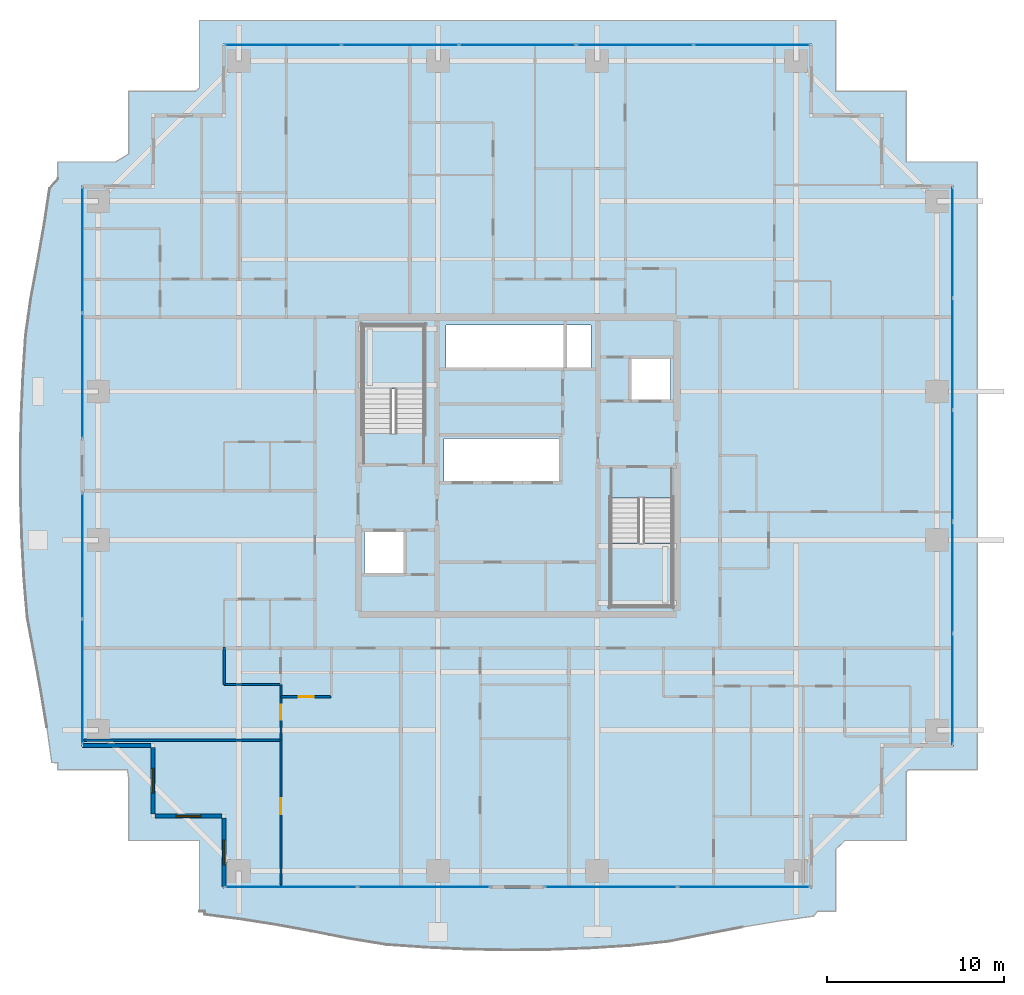
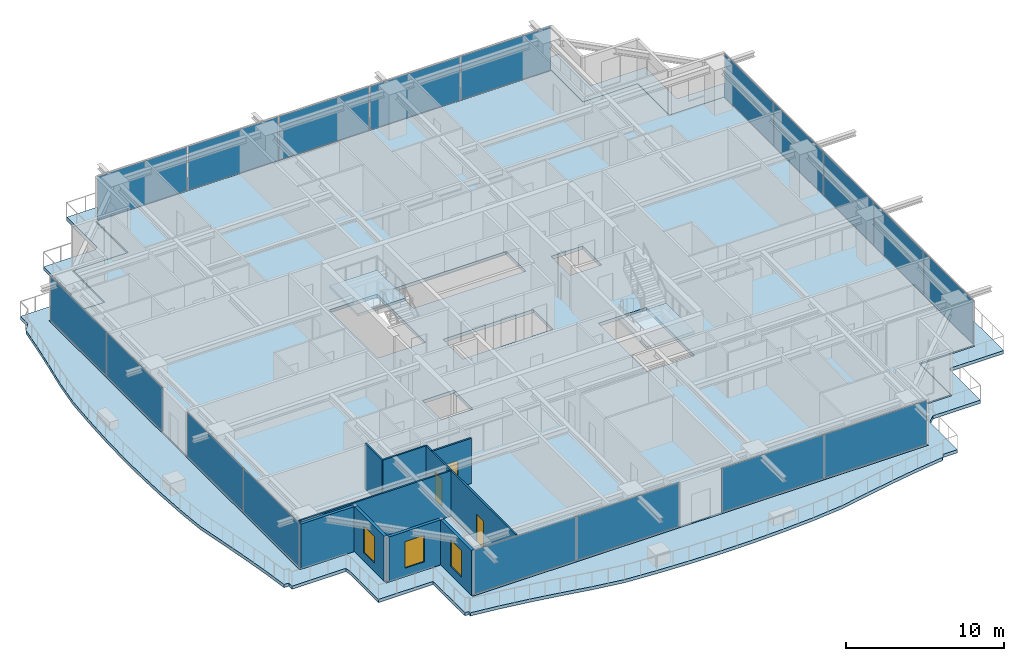
# One storey, part 23 of 35: 18 plates, 10 walls, 4 slabs, 3 doors, 3 windows, 6 openings, 8 elements without a shape of their own.
"""IFC4 building model written with IfcOpenShell, lengths in metres."""

from ifc_helpers import new_model, si_unit, direction, frame, frame_2d, origin, origin_2d, place, context, subcontext, project, spatial, polyline, rectangle, outline, extrude, source, transform, mapped, material, layer, layer_set, type_object, element, fill, aggregate, save


model = new_model("IFC4")

# Units and contexts
model_context = context("Model", 3, precision=1e-05, world=origin(), true_north=direction((0.0, 1.0)))
body_context = subcontext(model_context, "Body", "Model", "MODEL_VIEW")
ifc_project = project(units=[si_unit("LENGTHUNIT", "METRE"), si_unit("AREAUNIT", "SQUARE_METRE"), si_unit("VOLUMEUNIT", "CUBIC_METRE"), si_unit("PLANEANGLEUNIT", "RADIAN"), si_unit("MASSUNIT", "GRAM", prefix="KILO")], contexts=[model_context])

# Site, building, storey
site_placement = place(None, origin())
site = spatial("IfcSite", under=ifc_project, at=site_placement, CompositionType="ELEMENT")
building_placement = place(site_placement, origin())
building = spatial("IfcBuilding", under=site, at=building_placement, Name="Serunith Strait Residences", CompositionType="ELEMENT")
storey_placement = place(building_placement, frame((0.0, 0.0, 172.64990234375)))
storey = spatial("IfcBuildingStorey", under=building, at=storey_placement, Name="L43", CompositionType="ELEMENT", Elevation=172.64990234375)

# Slab
ifc_material_1 = material(Name="Concrete C50/60", Category="concrete")
ifc_layer_1 = layer(ifc_material_1, 0.239990234375, Name="Concrete C50/60")
ifc_layer_set_1 = layer_set([ifc_layer_1], Name="Concrete C50/60")
slab_type_1 = type_object("IfcSlabType", Name="SLB-BALC-240", PredefinedType="FLOOR", material=ifc_layer_set_1)
slab_1_placement = place(storey_placement, frame((0.0, 0.0, -0.289794921875)))
element("IfcSlab", 1, at=slab_1_placement, inside=storey, type_object=slab_type_1, Name="L43 Planted Vertical-Forest Balcony Slab", PredefinedType="FLOOR", context=body_context, shape_type="SweptSolid", body=[
    extrude(outline(polyline([(14.419921875, 0.02001953125), (14.419921875, 4.02001953125), (10.419921875, 4.02001953125), (10.419921875, 7.556640625), (10.351318359375, 8.02001953125), (6.419921875, 8.02001953125), (6.419921875, 8.415283203125), (6.075439453125, 8.43505859375), (5.7958984375, 10.43798828125), (5.462890625, 12.46142578125), (5.086181640625, 14.5224609375), (4.690185546875, 16.63916015625), (4.5009765625, 18.867919921875), (4.380859375, 21.1376953125), (4.31201171875, 23.43017578125), (4.300537109375, 25.733154296875), (4.347900390625, 28.03173828125), (4.449462890625, 30.31298828125), (4.595703125, 32.5654296875), (4.90087890625, 34.739013671875), (5.29150390625, 36.825927734375), (5.647705078125, 38.8662109375), (5.953857421875, 40.877685546875), (6.419921875, 41.42578125), (6.419921875, 42.3798828125), (9.680908203125, 42.3798828125), (10.419921875, 42.822998046875), (10.419921875, 46.3798828125), (14.1982421875, 46.3798828125), (14.419921875, 46.55908203125), (14.419921875, 50.3798828125), (50.3798828125, 50.3798828125), (50.3798828125, 46.3798828125), (54.3798828125, 46.3798828125), (54.3798828125, 42.3798828125), (58.3798828125, 42.3798828125), (58.3798828125, 8.02001953125), (54.51513671875, 8.02001953125), (54.3798828125, 7.921875), (54.3798828125, 4.02001953125), (50.906494140625, 4.02001953125), (50.3798828125, 3.513916015625), (50.3798828125, 0.02001953125), (49.347412109375, 0.02001953125), (49.153564453125, -0.251220703125), (47.156494140625, -0.529052734375), (45.1416015625, -0.8671875), (43.0908203125, -1.258056640625), (40.983154296875, -1.6787109375), (38.76171875, -1.918212890625), (36.485107421875, -2.059814453125), (34.180908203125, -2.146484375), (31.86328125, -2.169189453125), (29.548828125, -2.125244140625), (27.25341796875, -2.01953125), (24.989990234375, -1.86279296875), (22.823486328125, -1.509765625), (20.74267578125, -1.097900390625), (18.7099609375, -0.7275390625), (16.705078125, -0.4140625), (14.711669921875, -0.160400390625), (14.71337890625, 0.02001953125), (14.419921875, 0.02001953125)]), holes=[polyline([(49.054931640625, 1.344970703125), (49.054931640625, 5.344970703125), (53.054931640625, 5.344970703125), (53.054931640625, 9.344970703125), (57.054931640625, 9.344970703125), (57.054931640625, 41.054931640625), (53.054931640625, 41.054931640625), (53.054931640625, 45.054931640625), (49.054931640625, 45.054931640625), (49.054931640625, 49.054931640625), (15.7451171875, 49.054931640625), (15.7451171875, 45.054931640625), (11.7451171875, 45.054931640625), (11.7451171875, 41.054931640625), (7.7451171875, 41.054931640625), (7.7451171875, 9.344970703125), (11.7451171875, 9.344970703125), (11.7451171875, 5.344970703125), (15.7451171875, 5.344970703125), (15.7451171875, 1.344970703125), (49.054931640625, 1.344970703125)])]), origin(), (0.0, 0.0, 1.0), 0.239990234375),
])

# Stair, slab
stair_type_1 = type_object("IfcStairType", Name="STR-CORE-1", PredefinedType="HALF_TURN_STAIR", material=ifc_material_1)
stair_1_placement = place(storey_placement, origin())
stair_1 = element("IfcStair", 2, at=stair_1_placement, inside=storey, type_object=stair_type_1, Name="L43 Protected Escape Stair ST-1", PredefinedType="HALF_TURN_STAIR")
ifc_layer_2 = layer(ifc_material_1, 0.199951171875, Name="Concrete C50/60")
ifc_layer_set_2 = layer_set([ifc_layer_2], Name="Concrete C50/60")
slab_type_2 = type_object("IfcSlabType", Name="SLB-LAND-200", PredefinedType="LANDING", material=ifc_layer_set_2)
slab_2_placement = place(storey_placement, frame((0.0, 0.0, 1.675048828125)))
slab_2 = element("IfcSlab", 3, at=slab_2_placement, type_object=slab_type_2, Name="ST-1 landing 1", PredefinedType="LANDING", context=body_context, shape_type="SweptSolid", body=[
    extrude(outline(polyline([(27.14990234375, 29.550048828125), (27.14990234375, 33.14990234375), (23.64990234375, 33.14990234375), (23.64990234375, 29.550048828125), (27.14990234375, 29.550048828125)])), origin(), (0.0, 0.0, 1.0), 0.199951171875),
])
aggregate(stair_1, [slab_2])

stair_type_2 = type_object("IfcStairType", Name="STR-CORE-2", PredefinedType="HALF_TURN_STAIR", material=ifc_material_1)
stair_2_placement = place(storey_placement, origin())
stair_2 = element("IfcStair", 4, at=stair_2_placement, inside=storey, type_object=stair_type_2, Name="L43 Protected Escape Stair ST-2", PredefinedType="HALF_TURN_STAIR")
slab_3_placement = place(storey_placement, frame((0.0, 0.0, 1.675048828125)))
slab_3 = element("IfcSlab", 5, at=slab_3_placement, type_object=slab_type_2, Name="ST-2 landing 1", PredefinedType="LANDING", context=body_context, shape_type="SweptSolid", body=[
    extrude(outline(polyline([(37.64990234375, 20.85009765625), (37.64990234375, 17.25), (41.14990234375, 17.25), (41.14990234375, 20.85009765625), (37.64990234375, 20.85009765625)])), origin(), (0.0, 0.0, 1.0), 0.199951171875),
])
aggregate(stair_2, [slab_3])

# Slab
ifc_material_2 = material(Name="Concrete C60/75", Category="concrete")
ifc_layer_3 = layer(ifc_material_2, 0.260009765625, Name="Concrete C60/75")
ifc_layer_set_3 = layer_set([ifc_layer_3], Name="Concrete C60/75")
slab_type_3 = type_object("IfcSlabType", Name="SLB-TWR-260-Z2", PredefinedType="FLOOR", material=ifc_layer_set_3)
slab_4_placement = place(storey_placement, frame((0.0, 0.0, -0.260009765625)))
element("IfcSlab", 6, at=slab_4_placement, inside=storey, type_object=slab_type_3, Name="L43 Structural Floor Plate", PredefinedType="FLOOR", context=body_context, shape_type="SweptSolid", body=[
    extrude(outline(polyline([(15.800048828125, 5.39990234375), (11.800048828125, 5.39990234375), (11.800048828125, 9.39990234375), (7.800048828125, 9.39990234375), (7.800048828125, 41.0), (11.800048828125, 41.0), (11.800048828125, 45.0), (15.800048828125, 45.0), (15.800048828125, 49.0), (49.0, 49.0), (49.0, 45.0), (53.0, 45.0), (53.0, 41.0), (57.0, 41.0), (57.0, 9.39990234375), (53.0, 9.39990234375), (53.0, 5.39990234375), (49.0, 5.39990234375), (49.0, 1.39990234375), (15.800048828125, 1.39990234375), (15.800048828125, 5.39990234375)]), holes=[polyline([(41.14990234375, 23.3701171875), (37.64990234375, 23.3701171875), (37.64990234375, 17.25), (41.14990234375, 17.25), (41.14990234375, 23.3701171875)]), polyline([(38.75, 31.25), (38.75, 28.85009765625), (41.050048828125, 28.85009765625), (41.050048828125, 31.25), (38.75, 31.25)]), polyline([(36.550048828125, 33.14990234375), (28.35009765625, 33.14990234375), (28.35009765625, 30.64990234375), (36.550048828125, 30.64990234375), (36.550048828125, 33.14990234375)]), polyline([(34.85009765625, 26.75), (28.25, 26.75), (28.25, 24.25), (34.85009765625, 24.25), (34.85009765625, 26.75)]), polyline([(23.64990234375, 33.14990234375), (23.64990234375, 27.030029296875), (27.14990234375, 27.030029296875), (27.14990234375, 33.14990234375), (23.64990234375, 33.14990234375)]), polyline([(26.050048828125, 21.550048828125), (23.75, 21.550048828125), (23.75, 19.14990234375), (26.050048828125, 19.14990234375), (26.050048828125, 21.550048828125)])]), origin(), (0.0, 0.0, 1.0), 0.260009765625),
])

# Curtain wall, plates
ifc_material_3 = material(Name="Pale-Champagne Anodised Aluminium", Category="aluminium")
ifc_layer_4 = layer(ifc_material_3, 0.199951171875, Name="Pale-Champagne Anodised Aluminium")
ifc_layer_set_4 = layer_set([ifc_layer_4], Name="Pale-Champagne Anodised Aluminium")
curtain_wall_type = type_object("IfcCurtainWallType", Name="CW-SYS2", PredefinedType="NOTDEFINED", material=ifc_layer_set_4)
curtain_wall_1_placement = place(storey_placement, origin())
curtain_wall_1 = element("IfcCurtainWall", 7, at=curtain_wall_1_placement, inside=storey, type_object=curtain_wall_type, Name="L43 N Unitised Fritted Curtain Wall", PredefinedType="NOTDEFINED")
ifc_material_4 = material(Name="Diagonal-Frit Operable Low-E Glazing 30mm", Category="glass")
ifc_layer_5 = layer(ifc_material_4, 0.030029296875, Name="Diagonal-Frit Operable Low-E Glazing 30mm")
ifc_layer_set_5 = layer_set([ifc_layer_5], Name="Diagonal-Frit Operable Low-E Glazing 30mm")
plate_type = type_object("IfcPlateType", Name="CW-SYS2-PNL", PredefinedType="CURTAIN_PANEL", material=ifc_layer_set_5)
shared_shape_1 = source(origin(), body_context, "Body", "SweptSolid", [
    extrude(rectangle(XDim=6.534912109375, YDim=0.030029296875, at=origin_2d()), origin(), (0.0, 0.0, 1.0), 3.35498046875),
])
plate_1_placement = place(storey_placement, frame((45.66259765625, 49.0, 0.06005859375), z_axis=(0.0, 0.0, 1.0), x_axis=(-1.0, 0.0, 0.0)))
plate_1 = element("IfcPlate", 8, at=plate_1_placement, type_object=plate_type, Name="CW-2 panel 1.1", PredefinedType="CURTAIN_PANEL", context=body_context, shape_type="MappedRepresentation", body=[
    mapped(shared_shape_1, transform((0.0, 0.0, 0.0), scale=1.0)),
])
plate_2_placement = place(storey_placement, frame((19.137451171875, 49.0, 0.06005859375), z_axis=(0.0, 0.0, 1.0), x_axis=(-1.0, 0.0, 0.0)))
plate_2 = element("IfcPlate", 9, at=plate_2_placement, type_object=plate_type, Name="CW-2 panel 5.1", PredefinedType="CURTAIN_PANEL", context=body_context, shape_type="MappedRepresentation", body=[
    mapped(shared_shape_1, transform((0.0, 0.0, 0.0), scale=1.0)),
])
shared_shape_2 = source(origin(), body_context, "Body", "SweptSolid", [
    extrude(rectangle(XDim=6.570068359375, YDim=0.030029296875, at=origin_2d()), origin(), (0.0, 0.0, 1.0), 3.35498046875),
])
plate_3_placement = place(storey_placement, frame((39.0400390625, 49.0, 0.06005859375), z_axis=(0.0, 0.0, 1.0), x_axis=(-1.0, 0.0, 0.0)))
plate_3 = element("IfcPlate", 10, at=plate_3_placement, type_object=plate_type, Name="CW-2 panel 2.1", PredefinedType="CURTAIN_PANEL", context=body_context, shape_type="MappedRepresentation", body=[
    mapped(shared_shape_2, transform((0.0, 0.0, 0.0), scale=1.0)),
])
plate_4_placement = place(storey_placement, frame((32.39990234375, 49.0, 0.06005859375), z_axis=(0.0, 0.0, 1.0), x_axis=(-1.0, 0.0, 0.0)))
plate_4 = element("IfcPlate", 11, at=plate_4_placement, type_object=plate_type, Name="CW-2 panel 3.1", PredefinedType="CURTAIN_PANEL", context=body_context, shape_type="MappedRepresentation", body=[
    mapped(shared_shape_2, transform((0.0, 0.0, 0.0), scale=1.0)),
])
plate_5_placement = place(storey_placement, frame((25.760009765625, 49.0, 0.06005859375), z_axis=(0.0, 0.0, 1.0), x_axis=(-1.0, 0.0, 0.0)))
plate_5 = element("IfcPlate", 12, at=plate_5_placement, type_object=plate_type, Name="CW-2 panel 4.1", PredefinedType="CURTAIN_PANEL", context=body_context, shape_type="MappedRepresentation", body=[
    mapped(shared_shape_2, transform((0.0, 0.0, 0.0), scale=1.0)),
])
aggregate(curtain_wall_1, [plate_1, plate_3, plate_4, plate_5, plate_2])

curtain_wall_2_placement = place(storey_placement, origin())
curtain_wall_2 = element("IfcCurtainWall", 13, at=curtain_wall_2_placement, inside=storey, type_object=curtain_wall_type, Name="L43 E Unitised Fritted Curtain Wall", PredefinedType="NOTDEFINED")
shared_shape_3 = source(origin(), body_context, "Body", "SweptSolid", [
    extrude(rectangle(XDim=6.215087890625, YDim=0.030029296875, at=origin_2d()), origin(), (0.0, 0.0, 1.0), 3.35498046875),
])
plate_6_placement = place(storey_placement, frame((57.0, 12.577392578125, 0.06005859375), z_axis=(0.0, 0.0, 1.0), x_axis=(0.0, 1.0, 0.0)))
plate_6 = element("IfcPlate", 14, at=plate_6_placement, type_object=plate_type, Name="CW-2 panel 1.1", PredefinedType="CURTAIN_PANEL", context=body_context, shape_type="MappedRepresentation", body=[
    mapped(shared_shape_3, transform((0.0, 0.0, 0.0), scale=1.0)),
])
plate_7_placement = place(storey_placement, frame((57.0, 37.822509765625, 0.06005859375), z_axis=(0.0, 0.0, 1.0), x_axis=(0.0, 1.0, 0.0)))
plate_7 = element("IfcPlate", 15, at=plate_7_placement, type_object=plate_type, Name="CW-2 panel 5.1", PredefinedType="CURTAIN_PANEL", context=body_context, shape_type="MappedRepresentation", body=[
    mapped(shared_shape_3, transform((0.0, 0.0, 0.0), scale=1.0)),
])
shared_shape_4 = source(origin(), body_context, "Body", "SweptSolid", [
    extrude(rectangle(XDim=6.25, YDim=0.030029296875, at=origin_2d()), origin(), (0.0, 0.0, 1.0), 3.35498046875),
])
plate_8_placement = place(storey_placement, frame((57.0, 18.8798828125, 0.06005859375), z_axis=(0.0, 0.0, 1.0), x_axis=(0.0, 1.0, 0.0)))
plate_8 = element("IfcPlate", 16, at=plate_8_placement, type_object=plate_type, Name="CW-2 panel 2.1", PredefinedType="CURTAIN_PANEL", context=body_context, shape_type="MappedRepresentation", body=[
    mapped(shared_shape_4, transform((0.0, 0.0, 0.0), scale=1.0)),
])
plate_9_placement = place(storey_placement, frame((57.0, 25.199951171875, 0.06005859375), z_axis=(0.0, 0.0, 1.0), x_axis=(0.0, 1.0, 0.0)))
plate_9 = element("IfcPlate", 17, at=plate_9_placement, type_object=plate_type, Name="CW-2 panel 3.1", PredefinedType="CURTAIN_PANEL", context=body_context, shape_type="MappedRepresentation", body=[
    mapped(shared_shape_4, transform((0.0, 0.0, 0.0), scale=1.0)),
])
plate_10_placement = place(storey_placement, frame((57.0, 31.52001953125, 0.06005859375), z_axis=(0.0, 0.0, 1.0), x_axis=(0.0, 1.0, 0.0)))
plate_10 = element("IfcPlate", 18, at=plate_10_placement, type_object=plate_type, Name="CW-2 panel 4.1", PredefinedType="CURTAIN_PANEL", context=body_context, shape_type="MappedRepresentation", body=[
    mapped(shared_shape_4, transform((0.0, 0.0, 0.0), scale=1.0)),
])
aggregate(curtain_wall_2, [plate_6, plate_8, plate_9, plate_10, plate_7])

curtain_wall_3_placement = place(storey_placement, origin())
curtain_wall_3 = element("IfcCurtainWall", 19, at=curtain_wall_3_placement, inside=storey, type_object=curtain_wall_type, Name="L43 S Unitised Fritted Curtain Wall", PredefinedType="NOTDEFINED")
shared_shape_5 = source(origin(), body_context, "Body", "SweptSolid", [
    extrude(rectangle(XDim=7.445068359375, YDim=0.030029296875, at=origin_2d()), origin(), (0.0, 0.0, 1.0), 3.35498046875),
])
plate_11_placement = place(storey_placement, frame((19.592529296875, 1.39990234375, 0.06005859375), z_axis=(0.0, 0.0, 1.0), x_axis=(1.0, 0.0, 0.0)))
plate_11 = element("IfcPlate", 20, at=plate_11_placement, type_object=plate_type, Name="CW-2 panel 1.1", PredefinedType="CURTAIN_PANEL", context=body_context, shape_type="MappedRepresentation", body=[
    mapped(shared_shape_5, transform((0.0, 0.0, 0.0), scale=1.0)),
])
plate_12_placement = place(storey_placement, frame((27.107421875, 1.39990234375, 0.06005859375), z_axis=(0.0, 0.0, 1.0), x_axis=(1.0, 0.0, 0.0)))
plate_12 = element("IfcPlate", 21, at=plate_12_placement, type_object=plate_type, Name="CW-2 panel 2.1", PredefinedType="CURTAIN_PANEL", context=body_context, shape_type="MappedRepresentation", body=[
    mapped(shared_shape_5, transform((0.0, 0.0, 0.0), scale=1.0)),
])
aggregate(curtain_wall_3, [plate_11, plate_12])

curtain_wall_4_placement = place(storey_placement, origin())
curtain_wall_4 = element("IfcCurtainWall", 22, at=curtain_wall_4_placement, inside=storey, type_object=curtain_wall_type, Name="L43 S Unitised Fritted Curtain Wall", PredefinedType="NOTDEFINED")
plate_13_placement = place(storey_placement, frame((37.6923828125, 1.39990234375, 0.06005859375), z_axis=(0.0, 0.0, 1.0), x_axis=(1.0, 0.0, 0.0)))
plate_13 = element("IfcPlate", 23, at=plate_13_placement, type_object=plate_type, Name="CW-2 panel 1.1", PredefinedType="CURTAIN_PANEL", context=body_context, shape_type="MappedRepresentation", body=[
    mapped(shared_shape_5, transform((0.0, 0.0, 0.0), scale=1.0)),
])
plate_14_placement = place(storey_placement, frame((45.20751953125, 1.39990234375, 0.06005859375), z_axis=(0.0, 0.0, 1.0), x_axis=(1.0, 0.0, 0.0)))
plate_14 = element("IfcPlate", 24, at=plate_14_placement, type_object=plate_type, Name="CW-2 panel 2.1", PredefinedType="CURTAIN_PANEL", context=body_context, shape_type="MappedRepresentation", body=[
    mapped(shared_shape_5, transform((0.0, 0.0, 0.0), scale=1.0)),
])
aggregate(curtain_wall_4, [plate_13, plate_14])

curtain_wall_5_placement = place(storey_placement, origin())
curtain_wall_5 = element("IfcCurtainWall", 25, at=curtain_wall_5_placement, inside=storey, type_object=curtain_wall_type, Name="L43 W Unitised Fritted Curtain Wall", PredefinedType="NOTDEFINED")
shared_shape_6 = source(origin(), body_context, "Body", "SweptSolid", [
    extrude(rectangle(XDim=7.044921875, YDim=0.030029296875, at=origin_2d()), origin(), (0.0, 0.0, 1.0), 3.35498046875),
])
plate_15_placement = place(storey_placement, frame((7.800048828125, 37.407470703125, 0.06005859375), z_axis=(0.0, 0.0, 1.0), x_axis=(0.0, -1.0, 0.0)))
plate_15 = element("IfcPlate", 26, at=plate_15_placement, type_object=plate_type, Name="CW-2 panel 1.1", PredefinedType="CURTAIN_PANEL", context=body_context, shape_type="MappedRepresentation", body=[
    mapped(shared_shape_6, transform((0.0, 0.0, 0.0), scale=1.0)),
])
plate_16_placement = place(storey_placement, frame((7.800048828125, 30.29248046875, 0.06005859375), z_axis=(0.0, 0.0, 1.0), x_axis=(0.0, -1.0, 0.0)))
plate_16 = element("IfcPlate", 27, at=plate_16_placement, type_object=plate_type, Name="CW-2 panel 2.1", PredefinedType="CURTAIN_PANEL", context=body_context, shape_type="MappedRepresentation", body=[
    mapped(shared_shape_6, transform((0.0, 0.0, 0.0), scale=1.0)),
])
aggregate(curtain_wall_5, [plate_15, plate_16])

curtain_wall_6_placement = place(storey_placement, origin())
curtain_wall_6 = element("IfcCurtainWall", 28, at=curtain_wall_6_placement, inside=storey, type_object=curtain_wall_type, Name="L43 W Unitised Fritted Curtain Wall", PredefinedType="NOTDEFINED")
plate_17_placement = place(storey_placement, frame((7.800048828125, 20.107421875, 0.06005859375), z_axis=(0.0, 0.0, 1.0), x_axis=(0.0, -1.0, 0.0)))
plate_17 = element("IfcPlate", 29, at=plate_17_placement, type_object=plate_type, Name="CW-2 panel 1.1", PredefinedType="CURTAIN_PANEL", context=body_context, shape_type="MappedRepresentation", body=[
    mapped(shared_shape_6, transform((0.0, 0.0, 0.0), scale=1.0)),
])
plate_18_placement = place(storey_placement, frame((7.800048828125, 12.992431640625, 0.06005859375), z_axis=(0.0, 0.0, 1.0), x_axis=(0.0, -1.0, 0.0)))
plate_18 = element("IfcPlate", 30, at=plate_18_placement, type_object=plate_type, Name="CW-2 panel 2.1", PredefinedType="CURTAIN_PANEL", context=body_context, shape_type="MappedRepresentation", body=[
    mapped(shared_shape_6, transform((0.0, 0.0, 0.0), scale=1.0)),
])
aggregate(curtain_wall_6, [plate_17, plate_18])

# Wall
ifc_material_5 = material(Name="Pale-Champagne Aluminium Insulated Panel", Category="aluminium")
ifc_layer_6 = layer(ifc_material_5, 0.219970703125, Name="Pale-Champagne Aluminium Insulated Panel")
ifc_layer_set_6 = layer_set([ifc_layer_6], Name="Pale-Champagne Aluminium Insulated Panel")
wall_type_1 = type_object("IfcWallType", Name="EW-ALUM-220", PredefinedType="ELEMENTEDWALL", material=ifc_layer_set_6)
wall_1_placement = place(storey_placement, frame((7.800048828125, 9.39990234375, 0.0), z_axis=(0.0, 0.0, 1.0), x_axis=(1.0, 0.0, 0.0)))
element("IfcWall", 31, at=wall_1_placement, inside=storey, type_object=wall_type_1, Name="L43 Girih Serrated Corner Wall 17", PredefinedType="ELEMENTEDWALL", context=body_context, shape_type="SweptSolid", body=[
    extrude(rectangle(XDim=3.889892578125, YDim=0.219970703125, at=frame_2d((1.94482421875, 0.0))), origin(), (0.0, 0.0, 1.0), 3.47509765625),
])

# Wall, opening, window
wall_2_placement = place(storey_placement, frame((11.800048828125, 9.2900390625, 0.0), z_axis=(0.0, 0.0, 1.0), x_axis=(0.0, -1.0, 0.0)))
wall_2 = element("IfcWall", 32, at=wall_2_placement, inside=storey, type_object=wall_type_1, Name="L43 Girih Serrated Corner Wall 18", PredefinedType="ELEMENTEDWALL", context=body_context, shape_type="SweptSolid", body=[
    extrude(rectangle(XDim=3.780029296875, YDim=0.219970703125, at=frame_2d((1.89013671875, 0.0))), origin(), (0.0, 0.0, 1.0), 3.47509765625),
])
opening_1_placement = place(wall_2_placement, frame((1.18994140625, 0.0, 0.64990234375)))
opening_1 = element("IfcOpeningElement", 33, at=opening_1_placement, cuts=wall_2, Name="Opening W-03", PredefinedType="OPENING", context=body_context, shape_type="SweptSolid", body=[
    extrude(rectangle(XDim=1.39990234375, YDim=2.050048828125, at=frame_2d((0.699951171875, 1.02490234375))), frame((0.0, 0.1201171875, 0.0), z_axis=(0.0, -1.0, 0.0), x_axis=(1.0, 0.0, 0.0)), (0.0, 0.0, 1.0), 0.239990234375),
])
ifc_material_6 = material(Name="Ceramic-Fritted Operable Aluminium Window Glass", Category="aluminium")
window_type = type_object("IfcWindowType", Name="WIN-C3", PartitioningType="SINGLE_PANEL", PredefinedType="WINDOW", material=ifc_material_6)
shared_shape_7 = source(origin(), body_context, "Body", "SweptSolid", [
    extrude(rectangle(XDim=1.39990234375, YDim=2.050048828125, at=frame_2d((0.699951171875, 1.02490234375))), frame((0.0, 0.030029296875, 0.0), z_axis=(0.0, -1.0, 0.0), x_axis=(1.0, 0.0, 0.0)), (0.0, 0.0, 1.0), 0.06005859375),
])
window_1_placement = place(opening_1_placement, origin())
window_1 = element("IfcWindow", 34, at=window_1_placement, inside=storey, type_object=window_type, Name="L43 Corner Operable Fritted Window 18", OverallHeight=2.050048828125, OverallWidth=1.39990234375, PartitioningType="SINGLE_PANEL", PredefinedType="WINDOW", context=body_context, shape_type="MappedRepresentation", body=[
    mapped(shared_shape_7, transform((0.0, 0.0, 0.0), scale=1.0)),
])
fill(opening_1, window_1)

wall_3_placement = place(storey_placement, frame((11.909912109375, 5.39990234375, 0.0), z_axis=(0.0, 0.0, 1.0), x_axis=(1.0, 0.0, 0.0)))
wall_3 = element("IfcWall", 35, at=wall_3_placement, inside=storey, type_object=wall_type_1, Name="L43 Girih Serrated Corner Wall 19", PredefinedType="ELEMENTEDWALL", context=body_context, shape_type="SweptSolid", body=[
    extrude(rectangle(XDim=3.780029296875, YDim=0.219970703125, at=frame_2d((1.89013671875, 0.0))), origin(), (0.0, 0.0, 1.0), 3.47509765625),
])
opening_2_placement = place(wall_3_placement, frame((1.18994140625, 0.0, 0.64990234375)))
opening_2 = element("IfcOpeningElement", 36, at=opening_2_placement, cuts=wall_3, Name="Opening W-03", PredefinedType="OPENING", context=body_context, shape_type="SweptSolid", body=[
    extrude(rectangle(XDim=1.39990234375, YDim=2.050048828125, at=frame_2d((0.699951171875, 1.02490234375))), frame((0.0, 0.1201171875, 0.0), z_axis=(0.0, -1.0, 0.0), x_axis=(1.0, 0.0, 0.0)), (0.0, 0.0, 1.0), 0.239990234375),
])
window_2_placement = place(opening_2_placement, origin())
window_2 = element("IfcWindow", 37, at=window_2_placement, inside=storey, type_object=window_type, Name="L43 Corner Operable Fritted Window 19", OverallHeight=2.050048828125, OverallWidth=1.39990234375, PartitioningType="SINGLE_PANEL", PredefinedType="WINDOW", context=body_context, shape_type="MappedRepresentation", body=[
    mapped(shared_shape_7, transform((0.0, 0.0, 0.0), scale=1.0)),
])
fill(opening_2, window_2)

wall_4_placement = place(storey_placement, frame((15.800048828125, 5.2900390625, 0.0), z_axis=(0.0, 0.0, 1.0), x_axis=(0.0, -1.0, 0.0)))
wall_4 = element("IfcWall", 38, at=wall_4_placement, inside=storey, type_object=wall_type_1, Name="L43 Girih Serrated Corner Wall 20", PredefinedType="ELEMENTEDWALL", context=body_context, shape_type="SweptSolid", body=[
    extrude(rectangle(XDim=3.89013671875, YDim=0.219970703125, at=frame_2d((1.945068359375, 0.0))), origin(), (0.0, 0.0, 1.0), 3.47509765625),
])
opening_3_placement = place(wall_4_placement, frame((1.2451171875, 0.0, 0.64990234375)))
opening_3 = element("IfcOpeningElement", 39, at=opening_3_placement, cuts=wall_4, Name="Opening W-03", PredefinedType="OPENING", context=body_context, shape_type="SweptSolid", body=[
    extrude(rectangle(XDim=1.39990234375, YDim=2.050048828125, at=frame_2d((0.699951171875, 1.02490234375))), frame((0.0, 0.1201171875, 0.0), z_axis=(0.0, -1.0, 0.0), x_axis=(1.0, 0.0, 0.0)), (0.0, 0.0, 1.0), 0.239990234375),
])
window_3_placement = place(opening_3_placement, origin())
window_3 = element("IfcWindow", 40, at=window_3_placement, inside=storey, type_object=window_type, Name="L43 Corner Operable Fritted Window 20", OverallHeight=2.050048828125, OverallWidth=1.39990234375, PartitioningType="SINGLE_PANEL", PredefinedType="WINDOW", context=body_context, shape_type="MappedRepresentation", body=[
    mapped(shared_shape_7, transform((0.0, 0.0, 0.0), scale=1.0)),
])
fill(opening_3, window_3)

# Wall, opening, door
ifc_material_7 = material(Name="Lightweight steel-stud gypsum partition", Category="steel")
ifc_layer_7 = layer(ifc_material_7, 0.1201171875, Name="Lightweight steel-stud gypsum partition")
ifc_layer_set_7 = layer_set([ifc_layer_7], Name="Lightweight steel-stud gypsum partition")
wall_type_2 = type_object("IfcWallType", Name="IW-PART-120", PredefinedType="PARTITIONING", material=ifc_layer_set_7)
wall_5_placement = place(storey_placement, frame((19.02001953125, 12.14990234375, 0.0), z_axis=(0.0, 0.0, 1.0), x_axis=(1.0, 0.0, 0.0)))
wall_5 = element("IfcWall", 41, at=wall_5_placement, inside=storey, type_object=wall_type_2, Name="L43 Partition Wall 033", PredefinedType="PARTITIONING", context=body_context, shape_type="SweptSolid", body=[
    extrude(rectangle(XDim=2.85009765625, YDim=0.1201171875, at=frame_2d((1.425048828125, 0.0))), origin(), (0.0, 0.0, 1.0), 3.489990234375),
])
opening_4_placement = place(wall_5_placement, frame((1.0, 0.0, 0.0)))
opening_4 = element("IfcOpeningElement", 42, at=opening_4_placement, cuts=wall_5, Name="Opening D-RM850", PredefinedType="OPENING", context=body_context, shape_type="SweptSolid", body=[
    extrude(rectangle(XDim=0.85009765625, YDim=2.10009765625, at=frame_2d((0.425048828125, 1.050048828125))), frame((0.0, 0.070068359375, 0.0), z_axis=(0.0, -1.0, 0.0), x_axis=(1.0, 0.0, 0.0)), (0.0, 0.0, 1.0), 0.14013671875),
])
ifc_material_8 = material(Name="Engineered timber flush study and kitchen door", Category="wood")
door_type_1 = type_object("IfcDoorType", Name="ID-ROOM-850", OperationType="NOTDEFINED", PredefinedType="DOOR", material=ifc_material_8)
shared_shape_8 = source(origin(), body_context, "Body", "SweptSolid", [
    extrude(rectangle(XDim=0.85009765625, YDim=2.10009765625, at=frame_2d((0.425048828125, 1.050048828125))), frame((0.0, 0.02490234375, 0.0), z_axis=(0.0, -1.0, 0.0), x_axis=(1.0, 0.0, 0.0)), (0.0, 0.0, 1.0), 0.050048828125),
])
door_1_placement = place(opening_4_placement, origin())
door_1 = element("IfcDoor", 43, at=door_1_placement, inside=storey, type_object=door_type_1, Name="L43 Kitchen 4301 Door", OperationType="SINGLE_SWING_LEFT", OverallHeight=2.10009765625, OverallWidth=0.85009765625, PredefinedType="DOOR", context=body_context, shape_type="MappedRepresentation", body=[
    mapped(shared_shape_8, transform((0.0, 0.0, 0.0), scale=1.0)),
])
fill(opening_4, door_1)

wall_6_placement = place(storey_placement, frame((19.02001953125, 1.4951171875, 0.0), z_axis=(0.0, 0.0, 1.0), x_axis=(0.0, 1.0, 0.0)))
wall_6 = element("IfcWall", 44, at=wall_6_placement, inside=storey, type_object=wall_type_2, Name="L43 Partition Wall 035", PredefinedType="PARTITIONING", context=body_context, shape_type="SweptSolid", body=[
    extrude(rectangle(XDim=8.19482421875, YDim=0.1201171875, at=frame_2d((4.097412109375, 0.0))), origin(), (0.0, 0.0, 1.0), 3.489990234375),
])
opening_5_placement = place(wall_6_placement, frame((4.011962890625, 0.0, 0.0)))
opening_5 = element("IfcOpeningElement", 45, at=opening_5_placement, cuts=wall_6, Name="Opening D-RM900", PredefinedType="OPENING", context=body_context, shape_type="SweptSolid", body=[
    extrude(rectangle(XDim=0.89990234375, YDim=2.10009765625, at=frame_2d((0.449951171875, 1.050048828125))), frame((0.0, 0.070068359375, 0.0), z_axis=(0.0, -1.0, 0.0), x_axis=(1.0, 0.0, 0.0)), (0.0, 0.0, 1.0), 0.14013671875),
])
ifc_material_9 = material(Name="Engineered timber flush bedroom door", Category="wood")
door_type_2 = type_object("IfcDoorType", Name="ID-ROOM-900", OperationType="NOTDEFINED", PredefinedType="DOOR", material=ifc_material_9)
shared_shape_9 = source(origin(), body_context, "Body", "SweptSolid", [
    extrude(rectangle(XDim=0.89990234375, YDim=2.10009765625, at=frame_2d((0.449951171875, 1.050048828125))), frame((0.0, 0.02490234375, 0.0), z_axis=(0.0, -1.0, 0.0), x_axis=(1.0, 0.0, 0.0)), (0.0, 0.0, 1.0), 0.050048828125),
])
door_2_placement = place(opening_5_placement, origin())
door_2 = element("IfcDoor", 46, at=door_2_placement, inside=storey, type_object=door_type_2, Name="L43 Master Bedroom 1 4301 Door", OperationType="SINGLE_SWING_RIGHT", OverallHeight=2.10009765625, OverallWidth=0.89990234375, PredefinedType="DOOR", context=body_context, shape_type="MappedRepresentation", body=[
    mapped(shared_shape_9, transform((0.0, 0.0, 0.0), scale=1.0)),
])
fill(opening_5, door_2)

# Walls
wall_7_placement = place(storey_placement, frame((7.89501953125, 9.68994140625, 0.0), z_axis=(0.0, 0.0, 1.0), x_axis=(1.0, 0.0, 0.0)))
element("IfcWall", 47, at=wall_7_placement, inside=storey, type_object=wall_type_2, Name="L43 Partition Wall 036", PredefinedType="PARTITIONING", context=body_context, shape_type="SweptSolid", body=[
    extrude(rectangle(XDim=11.125, YDim=0.1201171875, at=frame_2d((5.5625, 0.0))), origin(), (0.0, 0.0, 1.0), 3.489990234375),
])
wall_8_placement = place(storey_placement, frame((15.820068359375, 12.85009765625, 0.0), z_axis=(0.0, 0.0, 1.0), x_axis=(1.0, 0.0, 0.0)))
element("IfcWall", 48, at=wall_8_placement, inside=storey, type_object=wall_type_2, Name="L43 Partition Wall 037", PredefinedType="PARTITIONING", context=body_context, shape_type="SweptSolid", body=[
    extrude(rectangle(XDim=3.199951171875, YDim=0.1201171875, at=frame_2d((1.60009765625, 0.0))), origin(), (0.0, 0.0, 1.0), 3.489990234375),
])
wall_9_placement = place(storey_placement, frame((15.820068359375, 12.85009765625, 0.0), z_axis=(0.0, 0.0, 1.0), x_axis=(0.0, 1.0, 0.0)))
element("IfcWall", 49, at=wall_9_placement, inside=storey, type_object=wall_type_2, Name="L43 Partition Wall 038", PredefinedType="PARTITIONING", context=body_context, shape_type="SweptSolid", body=[
    extrude(rectangle(XDim=2.10986328125, YDim=0.1201171875, at=frame_2d((1.054931640625, 0.0))), origin(), (0.0, 0.0, 1.0), 3.489990234375),
])

# Wall, opening, door
wall_10_placement = place(storey_placement, frame((19.02001953125, 9.69189453125, 0.0), z_axis=(0.0, 0.0, 1.0), x_axis=(0.0, 1.0, 0.0)))
wall_10 = element("IfcWall", 50, at=wall_10_placement, inside=storey, type_object=wall_type_2, Name="L43 Partition Wall 039", PredefinedType="PARTITIONING", context=body_context, shape_type="SweptSolid", body=[
    extrude(rectangle(XDim=3.158203125, YDim=0.1201171875, at=frame_2d((1.5791015625, 0.0))), origin(), (0.0, 0.0, 1.0), 3.489990234375),
])
opening_6_placement = place(wall_10_placement, frame((1.154052734375, 0.0, 0.0)))
opening_6 = element("IfcOpeningElement", 51, at=opening_6_placement, cuts=wall_10, Name="Opening D-RM850", PredefinedType="OPENING", context=body_context, shape_type="SweptSolid", body=[
    extrude(rectangle(XDim=0.85009765625, YDim=2.10009765625, at=frame_2d((0.425048828125, 1.050048828125))), frame((0.0, 0.070068359375, 0.0), z_axis=(0.0, -1.0, 0.0), x_axis=(1.0, 0.0, 0.0)), (0.0, 0.0, 1.0), 0.14013671875),
])
door_3_placement = place(opening_6_placement, origin())
door_3 = element("IfcDoor", 52, at=door_3_placement, inside=storey, type_object=door_type_1, Name="L43 Walk-in Wardrobe 4301 Door", OperationType="SINGLE_SWING_LEFT", OverallHeight=2.10009765625, OverallWidth=0.85009765625, PredefinedType="DOOR", context=body_context, shape_type="MappedRepresentation", body=[
    mapped(shared_shape_8, transform((0.0, 0.0, 0.0), scale=1.0)),
])
fill(opening_6, door_3)

save(model, "model.ifc")
